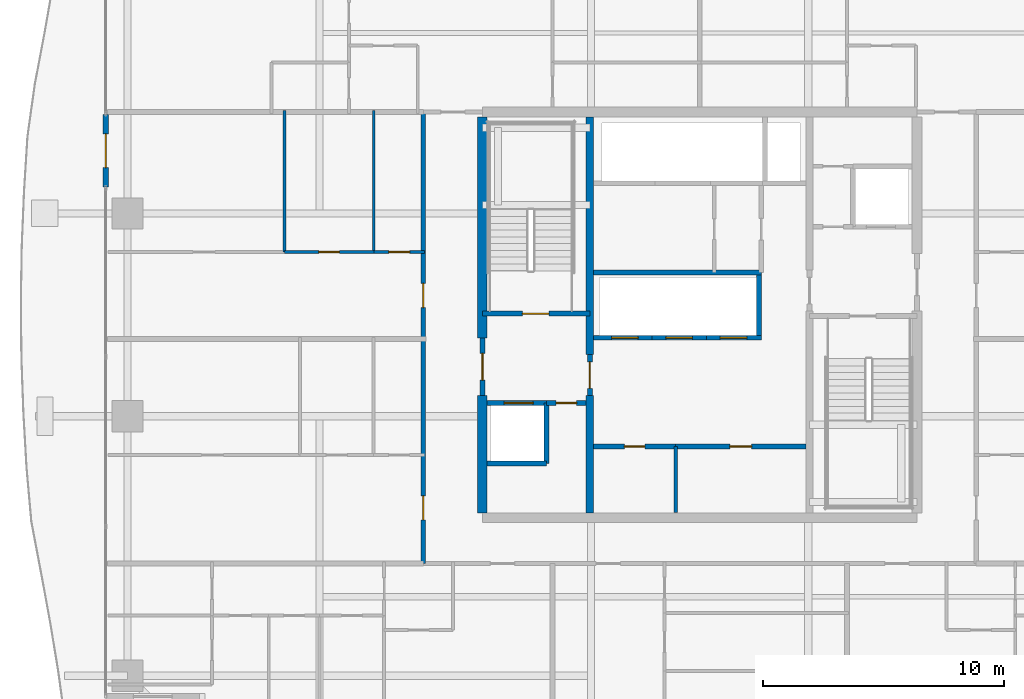
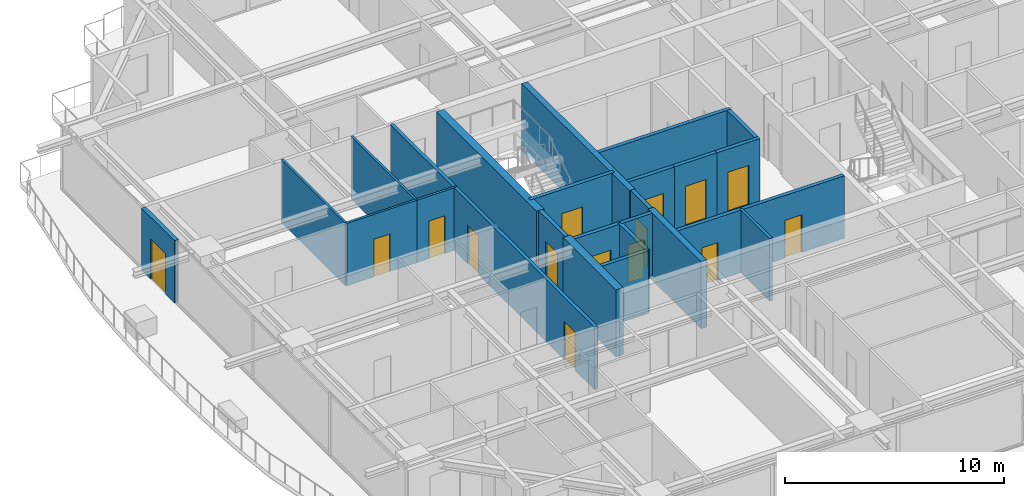
# One storey, part 27 of 39: 25 walls, 15 doors, 15 openings.
"""IFC4 building model written with IfcOpenShell, lengths in metres."""

from ifc_helpers import new_model, si_unit, direction, frame, frame_2d, origin, place, context, subcontext, project, spatial, rectangle, extrude, source, transform, mapped, material, layer, layer_set, type_object, element, fill, save


model = new_model("IFC4")

# Units and contexts
model_context = context("Model", 3, precision=1e-05, world=origin(), true_north=direction((0.0, 1.0)))
body_context = subcontext(model_context, "Body", "Model", "MODEL_VIEW")
ifc_project = project(units=[si_unit("LENGTHUNIT", "METRE"), si_unit("AREAUNIT", "SQUARE_METRE"), si_unit("VOLUMEUNIT", "CUBIC_METRE"), si_unit("PLANEANGLEUNIT", "RADIAN"), si_unit("MASSUNIT", "GRAM", prefix="KILO")], contexts=[model_context])

# Site, building, storey
site_placement = place(None, origin())
site = spatial("IfcSite", under=ifc_project, at=site_placement, CompositionType="ELEMENT")
building_placement = place(site_placement, origin())
building = spatial("IfcBuilding", under=site, at=building_placement, Name="Serunith Strait Residences", CompositionType="ELEMENT")
storey_placement = place(building_placement, frame((0.0, 0.0, 123.89990234375)))
storey = spatial("IfcBuildingStorey", under=building, at=storey_placement, Name="L30", CompositionType="ELEMENT", Elevation=123.89990234375)

# Wall, opening, door
ifc_material_1 = material(Name="Pale-Champagne Aluminium Insulated Panel", Category="aluminium")
ifc_layer_1 = layer(ifc_material_1, 0.219970703125, Name="Pale-Champagne Aluminium Insulated Panel")
ifc_layer_set_1 = layer_set([ifc_layer_1], Name="Pale-Champagne Aluminium Insulated Panel")
wall_type_1 = type_object("IfcWallType", Name="EW-ALUM-220", PredefinedType="ELEMENTEDWALL", material=ifc_layer_set_1)
wall_1_placement = place(storey_placement, frame((7.800048828125, 33.5, 0.0), z_axis=(0.0, 0.0, 1.0), x_axis=(0.0, -1.0, 0.0)))
wall_1 = element("IfcWall", 1, at=wall_1_placement, inside=storey, type_object=wall_type_1, Name="L30 W Facade Pier Wall", PredefinedType="ELEMENTEDWALL", context=body_context, shape_type="SweptSolid", body=[
    extrude(rectangle(XDim=3.0, YDim=0.219970703125, at=frame_2d((1.5, 0.0))), origin(), (0.0, 0.0, 1.0), 3.47509765625),
])
opening_1_placement = place(wall_1_placement, frame((0.800048828125, 0.0, 0.0)))
opening_1 = element("IfcOpeningElement", 2, at=opening_1_placement, cuts=wall_1, Name="Opening ED-04", PredefinedType="OPENING", context=body_context, shape_type="SweptSolid", body=[
    extrude(rectangle(XDim=1.39990234375, YDim=2.25, at=frame_2d((0.699951171875, 1.125))), frame((0.0, 0.1201171875, 0.0), z_axis=(0.0, -1.0, 0.0), x_axis=(1.0, 0.0, 0.0)), (0.0, 0.0, 1.0), 0.239990234375),
])
ifc_material_2 = material(Name="Thermally-Broken Aluminium Sliding Balcony Door", Category="aluminium")
door_type_1 = type_object("IfcDoorType", Name="ED-BALC-1400", OperationType="NOTDEFINED", PredefinedType="DOOR", material=ifc_material_2)
shared_shape_1 = source(origin(), body_context, "Body", "SweptSolid", [
    extrude(rectangle(XDim=1.39990234375, YDim=2.25, at=frame_2d((0.699951171875, 1.125))), frame((0.0, 0.02490234375, 0.0), z_axis=(0.0, -1.0, 0.0), x_axis=(1.0, 0.0, 0.0)), (0.0, 0.0, 1.0), 0.050048828125),
])
door_1_placement = place(opening_1_placement, origin())
door_1 = element("IfcDoor", 3, at=door_1_placement, inside=storey, type_object=door_type_1, Name="L30 W Vertical-Forest Balcony Door", OperationType="SLIDING_TO_LEFT", OverallHeight=2.25, OverallWidth=1.39990234375, PredefinedType="DOOR", context=body_context, shape_type="MappedRepresentation", body=[
    mapped(shared_shape_1, transform((0.0, 0.0, 0.0), scale=1.0)),
])
fill(opening_1, door_1)

# Wall
ifc_material_3 = material(Name="Fire-rated masonry service closet wall", Category="masonry")
ifc_layer_2 = layer(ifc_material_3, 0.14990234375, Name="Fire-rated masonry service closet wall")
ifc_layer_set_2 = layer_set([ifc_layer_2], Name="Fire-rated masonry service closet wall")
wall_type_2 = type_object("IfcWallType", Name="IW-BOH-150", PredefinedType="PARTITIONING", material=ifc_layer_set_2)
wall_2_placement = place(storey_placement, frame((31.39990234375, 17.02001953125, 0.0), z_axis=(0.0, 0.0, 1.0), x_axis=(0.0, 1.0, 0.0)))
element("IfcWall", 4, at=wall_2_placement, inside=storey, type_object=wall_type_2, Name="L30 Partition Wall 017", PredefinedType="PARTITIONING", context=body_context, shape_type="SweptSolid", body=[
    extrude(rectangle(XDim=2.72998046875, YDim=0.14990234375, at=frame_2d((1.364990234375, 0.0))), origin(), (0.0, 0.0, 1.0), 3.489990234375),
])

# Wall, openings, doors
ifc_material_4 = material(Name="Fire-rated acoustic gypsum partition")
ifc_layer_3 = layer(ifc_material_4, 0.179931640625, Name="Fire-rated acoustic gypsum partition")
ifc_layer_set_3 = layer_set([ifc_layer_3], Name="Fire-rated acoustic gypsum partition")
wall_type_3 = type_object("IfcWallType", Name="IW-CORR-180", PredefinedType="PARTITIONING", material=ifc_layer_set_3)
wall_3_placement = place(storey_placement, frame((20.949951171875, 14.89990234375, 0.0), z_axis=(0.0, 0.0, 1.0), x_axis=(0.0, 1.0, 0.0)))
wall_3 = element("IfcWall", 5, at=wall_3_placement, inside=storey, type_object=wall_type_3, Name="L30 Partition Wall 028", PredefinedType="PARTITIONING", context=body_context, shape_type="SweptSolid", body=[
    extrude(rectangle(XDim=18.7001953125, YDim=0.179931640625, at=frame_2d((9.35009765625, 0.0))), origin(), (0.0, 0.0, 1.0), 3.489990234375),
])
opening_2_placement = place(wall_3_placement, frame((1.804931640625, 0.0, 0.0)))
opening_2 = element("IfcOpeningElement", 6, at=opening_2_placement, cuts=wall_3, Name="Opening D-APT1000", PredefinedType="OPENING", context=body_context, shape_type="SweptSolid", body=[
    extrude(rectangle(XDim=1.0, YDim=2.14990234375, at=frame_2d((0.5, 1.074951171875))), frame((0.0, 0.10009765625, 0.0), z_axis=(0.0, -1.0, 0.0), x_axis=(1.0, 0.0, 0.0)), (0.0, 0.0, 1.0), 0.199951171875),
])
opening_3_placement = place(wall_3_placement, frame((10.60205078125, 0.0, 0.0)))
opening_3 = element("IfcOpeningElement", 7, at=opening_3_placement, cuts=wall_3, Name="Opening D-APT1000", PredefinedType="OPENING", context=body_context, shape_type="SweptSolid", body=[
    extrude(rectangle(XDim=1.0, YDim=2.14990234375, at=frame_2d((0.5, 1.074951171875))), frame((0.0, 0.10009765625, 0.0), z_axis=(0.0, -1.0, 0.0), x_axis=(1.0, 0.0, 0.0)), (0.0, 0.0, 1.0), 0.199951171875),
])
ifc_material_5 = material(Name="Solid timber engineered fire door", Category="wood")
door_type_2 = type_object("IfcDoorType", Name="ID-APT-1000", OperationType="NOTDEFINED", PredefinedType="DOOR", material=ifc_material_5)
shared_shape_2 = source(origin(), body_context, "Body", "SweptSolid", [
    extrude(rectangle(XDim=1.0, YDim=2.14990234375, at=frame_2d((0.5, 1.074951171875))), frame((0.0, 0.02490234375, 0.0), z_axis=(0.0, -1.0, 0.0), x_axis=(1.0, 0.0, 0.0)), (0.0, 0.0, 1.0), 0.050048828125),
])
door_2_placement = place(opening_2_placement, origin())
door_2 = element("IfcDoor", 8, at=door_2_placement, inside=storey, type_object=door_type_2, Name="L30 Unit 06 Entrance Door", OperationType="SINGLE_SWING_LEFT", OverallHeight=2.14990234375, OverallWidth=1.0, PredefinedType="DOOR", context=body_context, shape_type="MappedRepresentation", body=[
    mapped(shared_shape_2, transform((0.0, 0.0, 0.0), scale=1.0)),
])
fill(opening_2, door_2)
door_3_placement = place(opening_3_placement, origin())
door_3 = element("IfcDoor", 9, at=door_3_placement, inside=storey, type_object=door_type_2, Name="L30 Unit 07 Entrance Door", OperationType="SINGLE_SWING_RIGHT", OverallHeight=2.14990234375, OverallWidth=1.0, PredefinedType="DOOR", context=body_context, shape_type="MappedRepresentation", body=[
    mapped(shared_shape_2, transform((0.0, 0.0, 0.0), scale=1.0)),
])
fill(opening_3, door_3)

# Walls
ifc_material_6 = material(Name="Lightweight steel-stud gypsum partition", Category="steel")
ifc_layer_4 = layer(ifc_material_6, 0.1201171875, Name="Lightweight steel-stud gypsum partition")
ifc_layer_set_4 = layer_set([ifc_layer_4], Name="Lightweight steel-stud gypsum partition")
wall_type_4 = type_object("IfcWallType", Name="IW-PART-120", PredefinedType="PARTITIONING", material=ifc_layer_set_4)
for number, where, z_axis, x_axis, name in (
    (10, (15.197998046875, 27.800048828125, 0.0), (0.0, 0.0, 1.0), (0.0, 1.0, 0.0), "L30 Partition Wall 101"),
    (11, (18.89990234375, 27.800048828125, 0.0), (0.0, 0.0, 1.0), (0.0, 1.0, 0.0), "L30 Partition Wall 102"),
):
    element("IfcWall", number, at=place(storey_placement, frame(where, z_axis=z_axis, x_axis=x_axis)), inside=storey, type_object=wall_type_4, Name=name, PredefinedType="PARTITIONING", context=body_context, shape_type="SweptSolid", body=[
        extrude(rectangle(XDim=5.85986328125, YDim=0.1201171875, at=frame_2d((2.929931640625, 0.0))), origin(), (0.0, 0.0, 1.0), 3.489990234375),
    ])

# Wall, opening, door
wall_4_placement = place(storey_placement, frame((15.199951171875, 27.800048828125, 0.0), z_axis=(0.0, 0.0, 1.0), x_axis=(1.0, 0.0, 0.0)))
wall_4 = element("IfcWall", 12, at=wall_4_placement, inside=storey, type_object=wall_type_4, Name="L30 Partition Wall 103", PredefinedType="PARTITIONING", context=body_context, shape_type="SweptSolid", body=[
    extrude(rectangle(XDim=3.699951171875, YDim=0.1201171875, at=frame_2d((1.85009765625, 0.0))), origin(), (0.0, 0.0, 1.0), 3.489990234375),
])
opening_4_placement = place(wall_4_placement, frame((1.425048828125, 0.0, 0.0)))
opening_4 = element("IfcOpeningElement", 13, at=opening_4_placement, cuts=wall_4, Name="Opening D-RM850", PredefinedType="OPENING", context=body_context, shape_type="SweptSolid", body=[
    extrude(rectangle(XDim=0.85009765625, YDim=2.10009765625, at=frame_2d((0.425048828125, 1.050048828125))), frame((0.0, 0.070068359375, 0.0), z_axis=(0.0, -1.0, 0.0), x_axis=(1.0, 0.0, 0.0)), (0.0, 0.0, 1.0), 0.14013671875),
])
ifc_material_7 = material(Name="Engineered timber flush study and kitchen door", Category="wood")
door_type_3 = type_object("IfcDoorType", Name="ID-ROOM-850", OperationType="NOTDEFINED", PredefinedType="DOOR", material=ifc_material_7)
shared_shape_3 = source(origin(), body_context, "Body", "SweptSolid", [
    extrude(rectangle(XDim=0.85009765625, YDim=2.10009765625, at=frame_2d((0.425048828125, 1.050048828125))), frame((0.0, 0.02490234375, 0.0), z_axis=(0.0, -1.0, 0.0), x_axis=(1.0, 0.0, 0.0)), (0.0, 0.0, 1.0), 0.050048828125),
])
door_4_placement = place(opening_4_placement, origin())
door_4 = element("IfcDoor", 14, at=door_4_placement, inside=storey, type_object=door_type_3, Name="L30 Kitchen 3007 Door", OperationType="SINGLE_SWING_LEFT", OverallHeight=2.10009765625, OverallWidth=0.85009765625, PredefinedType="DOOR", context=body_context, shape_type="MappedRepresentation", body=[
    mapped(shared_shape_3, transform((0.0, 0.0, 0.0), scale=1.0)),
])
fill(opening_4, door_4)

wall_5_placement = place(storey_placement, frame((18.902099609375, 27.800048828125, 0.0), z_axis=(0.0, 0.0, 1.0), x_axis=(1.0, 0.0, 0.0)))
wall_5 = element("IfcWall", 15, at=wall_5_placement, inside=storey, type_object=wall_type_4, Name="L30 Partition Wall 104", PredefinedType="PARTITIONING", context=body_context, shape_type="SweptSolid", body=[
    extrude(rectangle(XDim=2.10791015625, YDim=0.1201171875, at=frame_2d((1.053955078125, 0.0))), origin(), (0.0, 0.0, 1.0), 3.489990234375),
])
opening_5_placement = place(wall_5_placement, frame((0.62890625, 0.0, 0.0)))
opening_5 = element("IfcOpeningElement", 16, at=opening_5_placement, cuts=wall_5, Name="Opening D-BTH850", PredefinedType="OPENING", context=body_context, shape_type="SweptSolid", body=[
    extrude(rectangle(XDim=0.85009765625, YDim=2.10009765625, at=frame_2d((0.425048828125, 1.050048828125))), frame((0.0, 0.070068359375, 0.0), z_axis=(0.0, -1.0, 0.0), x_axis=(1.0, 0.0, 0.0)), (0.0, 0.0, 1.0), 0.14013671875),
])
ifc_material_8 = material(Name="Moisture-resistant timber bathroom door", Category="wood")
door_type_4 = type_object("IfcDoorType", Name="ID-BATH-850", OperationType="NOTDEFINED", PredefinedType="DOOR", material=ifc_material_8)
door_5_placement = place(opening_5_placement, origin())
door_5 = element("IfcDoor", 17, at=door_5_placement, inside=storey, type_object=door_type_4, Name="L30 Bathroom 3007 Door", OperationType="SINGLE_SWING_RIGHT", OverallHeight=2.10009765625, OverallWidth=0.85009765625, PredefinedType="DOOR", context=body_context, shape_type="MappedRepresentation", body=[
    mapped(shared_shape_3, transform((0.0, 0.0, 0.0), scale=1.0)),
])
fill(opening_5, door_5)

ifc_material_9 = material(Name="Autoclaved aerated concrete blockwork", Category="masonry")
ifc_layer_5 = layer(ifc_material_9, 0.199951171875, Name="Autoclaved aerated concrete blockwork")
ifc_layer_set_5 = layer_set([ifc_layer_5], Name="Autoclaved aerated concrete blockwork")
wall_type_5 = type_object("IfcWallType", Name="IW-SHAFT-200", PredefinedType="STANDARD", material=ifc_layer_set_5)
wall_6_placement = place(storey_placement, frame((23.39990234375, 25.25, 0.0), z_axis=(0.0, 0.0, 1.0), x_axis=(1.0, 0.0, 0.0)))
wall_6 = element("IfcWall", 18, at=wall_6_placement, inside=storey, type_object=wall_type_5, Name="L30 ST-1 South Shaft Wall", PredefinedType="STANDARD", context=body_context, shape_type="SweptSolid", body=[
    extrude(rectangle(XDim=4.4501953125, YDim=0.199951171875, at=frame_2d((2.22509765625, 0.0))), origin(), (0.0, 0.0, 1.0), 3.489990234375),
])
opening_6_placement = place(wall_6_placement, frame((1.64990234375, 0.0, 0.0)))
opening_6 = element("IfcOpeningElement", 19, at=opening_6_placement, cuts=wall_6, Name="Opening FD-1100", PredefinedType="OPENING", context=body_context, shape_type="SweptSolid", body=[
    extrude(rectangle(XDim=1.10009765625, YDim=2.14990234375, at=frame_2d((0.550048828125, 1.074951171875))), frame((0.0, 0.10986328125, 0.0), z_axis=(0.0, -1.0, 0.0), x_axis=(1.0, 0.0, 0.0)), (0.0, 0.0, 1.0), 0.219970703125),
])
ifc_material_10 = material(Name="Galvanised steel fire door leaf", Category="steel")
door_type_5 = type_object("IfcDoorType", Name="FD-STAIR-1100", OperationType="NOTDEFINED", PredefinedType="DOOR", material=ifc_material_10)
shared_shape_4 = source(origin(), body_context, "Body", "SweptSolid", [
    extrude(rectangle(XDim=1.10009765625, YDim=2.14990234375, at=frame_2d((0.550048828125, 1.074951171875))), frame((0.0, 0.02490234375, 0.0), z_axis=(0.0, -1.0, 0.0), x_axis=(1.0, 0.0, 0.0)), (0.0, 0.0, 1.0), 0.050048828125),
])
door_6_placement = place(opening_6_placement, origin())
door_6 = element("IfcDoor", 20, at=door_6_placement, inside=storey, type_object=door_type_5, Name="L30 ST-1 Escape Stair Door", OperationType="SINGLE_SWING_RIGHT", OverallHeight=2.14990234375, OverallWidth=1.10009765625, PredefinedType="DOOR", context=body_context, shape_type="MappedRepresentation", body=[
    mapped(shared_shape_4, transform((0.0, 0.0, 0.0), scale=1.0)),
])
fill(opening_6, door_6)

wall_7_placement = place(storey_placement, frame((23.60009765625, 21.550048828125, 0.0), z_axis=(0.0, 0.0, 1.0), x_axis=(1.0, 0.0, 0.0)))
wall_7 = element("IfcWall", 21, at=wall_7_placement, inside=storey, type_object=wall_type_5, Name="L30 FL-1 North Shaft Wall", PredefinedType="STANDARD", context=body_context, shape_type="SweptSolid", body=[
    extrude(rectangle(XDim=2.449951171875, YDim=0.199951171875, at=frame_2d((1.22509765625, 0.0))), origin(), (0.0, 0.0, 1.0), 3.489990234375),
])
opening_7_placement = place(wall_7_placement, frame((0.699951171875, 0.0, 0.0)))
opening_7 = element("IfcOpeningElement", 22, at=opening_7_placement, cuts=wall_7, Name="Opening LD-FF1200", PredefinedType="OPENING", context=body_context, shape_type="SweptSolid", body=[
    extrude(rectangle(XDim=1.199951171875, YDim=2.199951171875, at=frame_2d((0.60009765625, 1.10009765625))), frame((0.0, 0.10986328125, 0.0), z_axis=(0.0, -1.0, 0.0), x_axis=(1.0, 0.0, 0.0)), (0.0, 0.0, 1.0), 0.219970703125),
])
ifc_material_11 = material(Name="Brushed stainless steel landing door", Category="steel")
door_type_6 = type_object("IfcDoorType", Name="LD-FF-1200", OperationType="DOUBLE_DOOR_SLIDING", PredefinedType="DOOR", material=ifc_material_11)
shared_shape_5 = source(origin(), body_context, "Body", "SweptSolid", [
    extrude(rectangle(XDim=1.199951171875, YDim=2.199951171875, at=frame_2d((0.60009765625, 1.10009765625))), frame((0.0, 0.02490234375, 0.0), z_axis=(0.0, -1.0, 0.0), x_axis=(1.0, 0.0, 0.0)), (0.0, 0.0, 1.0), 0.050048828125),
])
door_7_placement = place(opening_7_placement, origin())
door_7 = element("IfcDoor", 23, at=door_7_placement, inside=storey, type_object=door_type_6, Name="L30 FL-1 Landing Door", OperationType="DOUBLE_DOOR_SLIDING", OverallHeight=2.199951171875, OverallWidth=1.199951171875, PredefinedType="DOOR", context=body_context, shape_type="MappedRepresentation", body=[
    mapped(shared_shape_5, transform((0.0, 0.0, 0.0), scale=1.0)),
])
fill(opening_7, door_7)

wall_8_placement = place(storey_placement, frame((28.0, 24.25, 0.0), z_axis=(0.0, 0.0, 1.0), x_axis=(1.0, 0.0, 0.0)))
wall_8 = element("IfcWall", 24, at=wall_8_placement, inside=storey, type_object=wall_type_5, Name="L30 PL-4 South Shaft Wall", PredefinedType="STANDARD", context=body_context, shape_type="SweptSolid", body=[
    extrude(rectangle(XDim=2.425048828125, YDim=0.199951171875, at=frame_2d((1.21240234375, 0.0))), origin(), (0.0, 0.0, 1.0), 3.489990234375),
])
opening_8_placement = place(wall_8_placement, frame((0.75, 0.0, 0.0)))
opening_8 = element("IfcOpeningElement", 25, at=opening_8_placement, cuts=wall_8, Name="Opening LD-1100", PredefinedType="OPENING", context=body_context, shape_type="SweptSolid", body=[
    extrude(rectangle(XDim=1.10009765625, YDim=2.199951171875, at=frame_2d((0.550048828125, 1.10009765625))), frame((0.0, 0.10986328125, 0.0), z_axis=(0.0, -1.0, 0.0), x_axis=(1.0, 0.0, 0.0)), (0.0, 0.0, 1.0), 0.219970703125),
])
ifc_material_12 = material(Name="Pale-champagne stainless landing door")
door_type_7 = type_object("IfcDoorType", Name="LD-LIFT-1100", OperationType="DOUBLE_DOOR_SLIDING", PredefinedType="DOOR", material=ifc_material_12)
shared_shape_6 = source(origin(), body_context, "Body", "SweptSolid", [
    extrude(rectangle(XDim=1.10009765625, YDim=2.199951171875, at=frame_2d((0.550048828125, 1.10009765625))), frame((0.0, 0.02490234375, 0.0), z_axis=(0.0, -1.0, 0.0), x_axis=(1.0, 0.0, 0.0)), (0.0, 0.0, 1.0), 0.050048828125),
])
door_8_placement = place(opening_8_placement, origin())
door_8 = element("IfcDoor", 26, at=door_8_placement, inside=storey, type_object=door_type_7, Name="L30 PL-4 Landing Door", OperationType="DOUBLE_DOOR_SLIDING", OverallHeight=2.199951171875, OverallWidth=1.10009765625, PredefinedType="DOOR", context=body_context, shape_type="MappedRepresentation", body=[
    mapped(shared_shape_6, transform((0.0, 0.0, 0.0), scale=1.0)),
])
fill(opening_8, door_8)

wall_9_placement = place(storey_placement, frame((30.425048828125, 24.25, 0.0), z_axis=(0.0, 0.0, 1.0), x_axis=(1.0, 0.0, 0.0)))
wall_9 = element("IfcWall", 27, at=wall_9_placement, inside=storey, type_object=wall_type_5, Name="L30 PL-5 South Shaft Wall", PredefinedType="STANDARD", context=body_context, shape_type="SweptSolid", body=[
    extrude(rectangle(XDim=2.25, YDim=0.199951171875, at=frame_2d((1.125, 0.0))), origin(), (0.0, 0.0, 1.0), 3.489990234375),
])
opening_9_placement = place(wall_9_placement, frame((0.574951171875, 0.0, 0.0)))
opening_9 = element("IfcOpeningElement", 28, at=opening_9_placement, cuts=wall_9, Name="Opening LD-1100", PredefinedType="OPENING", context=body_context, shape_type="SweptSolid", body=[
    extrude(rectangle(XDim=1.10009765625, YDim=2.199951171875, at=frame_2d((0.550048828125, 1.10009765625))), frame((0.0, 0.10986328125, 0.0), z_axis=(0.0, -1.0, 0.0), x_axis=(1.0, 0.0, 0.0)), (0.0, 0.0, 1.0), 0.219970703125),
])
door_9_placement = place(opening_9_placement, origin())
door_9 = element("IfcDoor", 29, at=door_9_placement, inside=storey, type_object=door_type_7, Name="L30 PL-5 Landing Door", OperationType="DOUBLE_DOOR_SLIDING", OverallHeight=2.199951171875, OverallWidth=1.10009765625, PredefinedType="DOOR", context=body_context, shape_type="MappedRepresentation", body=[
    mapped(shared_shape_6, transform((0.0, 0.0, 0.0), scale=1.0)),
])
fill(opening_9, door_9)

wall_10_placement = place(storey_placement, frame((32.675048828125, 24.25, 0.0), z_axis=(0.0, 0.0, 1.0), x_axis=(1.0, 0.0, 0.0)))
wall_10 = element("IfcWall", 30, at=wall_10_placement, inside=storey, type_object=wall_type_5, Name="L30 PL-6 South Shaft Wall", PredefinedType="STANDARD", context=body_context, shape_type="SweptSolid", body=[
    extrude(rectangle(XDim=2.27490234375, YDim=0.199951171875, at=frame_2d((1.137451171875, 0.0))), origin(), (0.0, 0.0, 1.0), 3.489990234375),
])
opening_10_placement = place(wall_10_placement, frame((0.574951171875, 0.0, 0.0)))
opening_10 = element("IfcOpeningElement", 31, at=opening_10_placement, cuts=wall_10, Name="Opening LD-1100", PredefinedType="OPENING", context=body_context, shape_type="SweptSolid", body=[
    extrude(rectangle(XDim=1.10009765625, YDim=2.199951171875, at=frame_2d((0.550048828125, 1.10009765625))), frame((0.0, 0.10986328125, 0.0), z_axis=(0.0, -1.0, 0.0), x_axis=(1.0, 0.0, 0.0)), (0.0, 0.0, 1.0), 0.219970703125),
])
door_10_placement = place(opening_10_placement, origin())
door_10 = element("IfcDoor", 32, at=door_10_placement, inside=storey, type_object=door_type_7, Name="L30 PL-6 Landing Door", OperationType="DOUBLE_DOOR_SLIDING", OverallHeight=2.199951171875, OverallWidth=1.10009765625, PredefinedType="DOOR", context=body_context, shape_type="MappedRepresentation", body=[
    mapped(shared_shape_6, transform((0.0, 0.0, 0.0), scale=1.0)),
])
fill(opening_10, door_10)

# Walls
for number, where, z_axis, x_axis, name in (
    (33, (34.85009765625, 24.35009765625, 0.0), (0.0, 0.0, 1.0), (0.0, 1.0, 0.0), "L30 PL-6 East Shaft Wall"),
    (34, (26.050048828125, 19.050048828125, 0.0), (0.0, 0.0, 1.0), (0.0, 1.0, 0.0), "L30 Partition Wall 001"),
):
    element("IfcWall", number, at=place(storey_placement, frame(where, z_axis=z_axis, x_axis=x_axis)), inside=storey, type_object=wall_type_5, Name=name, PredefinedType="STANDARD", context=body_context, shape_type="SweptSolid", body=[
        extrude(rectangle(XDim=2.5, YDim=0.199951171875, at=frame_2d((1.25, 0.0))), origin(), (0.0, 0.0, 1.0), 3.489990234375),
    ])
wall_11_placement = place(storey_placement, frame((23.60009765625, 19.050048828125, 0.0), z_axis=(0.0, 0.0, 1.0), x_axis=(1.0, 0.0, 0.0)))
element("IfcWall", 35, at=wall_11_placement, inside=storey, type_object=wall_type_5, Name="L30 Partition Wall 002", PredefinedType="STANDARD", context=body_context, shape_type="SweptSolid", body=[
    extrude(rectangle(XDim=2.449951171875, YDim=0.199951171875, at=frame_2d((1.22509765625, 0.0))), origin(), (0.0, 0.0, 1.0), 3.489990234375),
])

# Wall, opening, door
wall_12_placement = place(storey_placement, frame((26.052001953125, 21.550048828125, 0.0), z_axis=(0.0, 0.0, 1.0), x_axis=(1.0, 0.0, 0.0)))
wall_12 = element("IfcWall", 36, at=wall_12_placement, inside=storey, type_object=wall_type_5, Name="L30 Partition Wall 003", PredefinedType="STANDARD", context=body_context, shape_type="SweptSolid", body=[
    extrude(rectangle(XDim=1.64794921875, YDim=0.199951171875, at=frame_2d((0.823974609375, 0.0))), origin(), (0.0, 0.0, 1.0), 3.489990234375),
])
opening_11_placement = place(wall_12_placement, frame((0.39892578125, 0.0, 0.0)))
opening_11 = element("IfcOpeningElement", 37, at=opening_11_placement, cuts=wall_12, Name="Opening FD-850", PredefinedType="OPENING", context=body_context, shape_type="SweptSolid", body=[
    extrude(rectangle(XDim=0.85009765625, YDim=2.10009765625, at=frame_2d((0.425048828125, 1.050048828125))), frame((0.0, 0.10986328125, 0.0), z_axis=(0.0, -1.0, 0.0), x_axis=(1.0, 0.0, 0.0)), (0.0, 0.0, 1.0), 0.219970703125),
])
ifc_material_13 = material(Name="Powder-coated steel service closet door", Category="steel")
door_type_8 = type_object("IfcDoorType", Name="FD-BOH-850", OperationType="NOTDEFINED", PredefinedType="DOOR", material=ifc_material_13)
door_11_placement = place(opening_11_placement, origin())
door_11 = element("IfcDoor", 38, at=door_11_placement, inside=storey, type_object=door_type_8, Name="L30 South-West Core Service Door", OperationType="SINGLE_SWING_LEFT", OverallHeight=2.10009765625, OverallWidth=0.85009765625, PredefinedType="DOOR", context=body_context, shape_type="MappedRepresentation", body=[
    mapped(shared_shape_3, transform((0.0, 0.0, 0.0), scale=1.0)),
])
fill(opening_11, door_11)

wall_13_placement = place(storey_placement, frame((23.39990234375, 21.85205078125, 0.0), z_axis=(0.0, 0.0, 1.0), x_axis=(0.0, 1.0, 0.0)))
wall_13 = element("IfcWall", 39, at=wall_13_placement, inside=storey, type_object=wall_type_5, Name="L30 Partition Wall 007", PredefinedType="STANDARD", context=body_context, shape_type="SweptSolid", body=[
    extrude(rectangle(XDim=2.39599609375, YDim=0.199951171875, at=frame_2d((1.197998046875, 0.0))), origin(), (0.0, 0.0, 1.0), 3.489990234375),
])
opening_12_placement = place(wall_13_placement, frame((0.64794921875, 0.0, 0.0)))
opening_12 = element("IfcOpeningElement", 40, at=opening_12_placement, cuts=wall_13, Name="Opening FD-FFL", PredefinedType="OPENING", context=body_context, shape_type="SweptSolid", body=[
    extrude(rectangle(XDim=1.10009765625, YDim=2.14990234375, at=frame_2d((0.550048828125, 1.074951171875))), frame((0.0, 0.10986328125, 0.0), z_axis=(0.0, -1.0, 0.0), x_axis=(1.0, 0.0, 0.0)), (0.0, 0.0, 1.0), 0.219970703125),
])
ifc_material_14 = material(Name="Glazed steel smoke-lobby fire door", Category="steel")
door_type_9 = type_object("IfcDoorType", Name="FD-FFL-1100", OperationType="NOTDEFINED", PredefinedType="DOOR", material=ifc_material_14)
door_12_placement = place(opening_12_placement, origin())
door_12 = element("IfcDoor", 41, at=door_12_placement, inside=storey, type_object=door_type_9, Name="L30 FFL-1 Corridor Fire Door", OperationType="SINGLE_SWING_LEFT", OverallHeight=2.14990234375, OverallWidth=1.10009765625, PredefinedType="DOOR", context=body_context, shape_type="MappedRepresentation", body=[
    mapped(shared_shape_4, transform((0.0, 0.0, 0.0), scale=1.0)),
])
fill(opening_12, door_12)

wall_14_placement = place(storey_placement, frame((27.85009765625, 21.85205078125, 0.0), z_axis=(0.0, 0.0, 1.0), x_axis=(0.0, 1.0, 0.0)))
wall_14 = element("IfcWall", 42, at=wall_14_placement, inside=storey, type_object=wall_type_5, Name="L30 Partition Wall 009", PredefinedType="STANDARD", context=body_context, shape_type="SweptSolid", body=[
    extrude(rectangle(XDim=1.696044921875, YDim=0.199951171875, at=frame_2d((0.84814453125, 0.0))), origin(), (0.0, 0.0, 1.0), 3.489990234375),
])
opening_13_placement = place(wall_14_placement, frame((0.298095703125, 0.0, 0.0)))
opening_13 = element("IfcOpeningElement", 43, at=opening_13_placement, cuts=wall_14, Name="Opening FD-FFL", PredefinedType="OPENING", context=body_context, shape_type="SweptSolid", body=[
    extrude(rectangle(XDim=1.10009765625, YDim=2.14990234375, at=frame_2d((0.550048828125, 1.074951171875))), frame((0.0, 0.10986328125, 0.0), z_axis=(0.0, -1.0, 0.0), x_axis=(1.0, 0.0, 0.0)), (0.0, 0.0, 1.0), 0.219970703125),
])
door_13_placement = place(opening_13_placement, origin())
door_13 = element("IfcDoor", 44, at=door_13_placement, inside=storey, type_object=door_type_9, Name="L30 FFL-1 Lift Lobby Door", OperationType="SINGLE_SWING_LEFT", OverallHeight=2.14990234375, OverallWidth=1.10009765625, PredefinedType="DOOR", context=body_context, shape_type="MappedRepresentation", body=[
    mapped(shared_shape_4, transform((0.0, 0.0, 0.0), scale=1.0)),
])
fill(opening_13, door_13)

# Wall
wall_15_placement = place(storey_placement, frame((28.0, 26.949951171875, 0.0), z_axis=(0.0, 0.0, 1.0), x_axis=(1.0, 0.0, 0.0)))
element("IfcWall", 45, at=wall_15_placement, inside=storey, type_object=wall_type_5, Name="L30 Partition Wall 011", PredefinedType="STANDARD", context=body_context, shape_type="SweptSolid", body=[
    extrude(rectangle(XDim=6.949951171875, YDim=0.199951171875, at=frame_2d((3.47509765625, 0.0))), origin(), (0.0, 0.0, 1.0), 3.489990234375),
])

# Wall, opening, door
wall_16_placement = place(storey_placement, frame((28.0, 19.75, 0.0), z_axis=(0.0, 0.0, 1.0), x_axis=(1.0, 0.0, 0.0)))
wall_16 = element("IfcWall", 46, at=wall_16_placement, inside=storey, type_object=wall_type_5, Name="L30 Partition Wall 015", PredefinedType="STANDARD", context=body_context, shape_type="SweptSolid", body=[
    extrude(rectangle(XDim=3.39990234375, YDim=0.199951171875, at=frame_2d((1.699951171875, 0.0))), origin(), (0.0, 0.0, 1.0), 3.489990234375),
])
opening_14_placement = place(wall_16_placement, frame((1.27490234375, 0.0, 0.0)))
opening_14 = element("IfcOpeningElement", 47, at=opening_14_placement, cuts=wall_16, Name="Opening FD-850", PredefinedType="OPENING", context=body_context, shape_type="SweptSolid", body=[
    extrude(rectangle(XDim=0.85009765625, YDim=2.10009765625, at=frame_2d((0.425048828125, 1.050048828125))), frame((0.0, 0.10986328125, 0.0), z_axis=(0.0, -1.0, 0.0), x_axis=(1.0, 0.0, 0.0)), (0.0, 0.0, 1.0), 0.219970703125),
])
door_14_placement = place(opening_14_placement, origin())
door_14 = element("IfcDoor", 48, at=door_14_placement, inside=storey, type_object=door_type_8, Name="L30 Booster Pump Door", OperationType="SINGLE_SWING_RIGHT", OverallHeight=2.10009765625, OverallWidth=0.85009765625, PredefinedType="DOOR", context=body_context, shape_type="MappedRepresentation", body=[
    mapped(shared_shape_3, transform((0.0, 0.0, 0.0), scale=1.0)),
])
fill(opening_14, door_14)

wall_17_placement = place(storey_placement, frame((31.402099609375, 19.75, 0.0), z_axis=(0.0, 0.0, 1.0), x_axis=(1.0, 0.0, 0.0)))
wall_17 = element("IfcWall", 49, at=wall_17_placement, inside=storey, type_object=wall_type_5, Name="L30 Partition Wall 016", PredefinedType="STANDARD", context=body_context, shape_type="SweptSolid", body=[
    extrude(rectangle(XDim=5.39794921875, YDim=0.199951171875, at=frame_2d((2.698974609375, 0.0))), origin(), (0.0, 0.0, 1.0), 3.489990234375),
])
opening_15_placement = place(wall_17_placement, frame((2.2490234375, 0.0, 0.0)))
opening_15 = element("IfcOpeningElement", 50, at=opening_15_placement, cuts=wall_17, Name="Opening FD-900", PredefinedType="OPENING", context=body_context, shape_type="SweptSolid", body=[
    extrude(rectangle(XDim=0.89990234375, YDim=2.10009765625, at=frame_2d((0.449951171875, 1.050048828125))), frame((0.0, 0.10986328125, 0.0), z_axis=(0.0, -1.0, 0.0), x_axis=(1.0, 0.0, 0.0)), (0.0, 0.0, 1.0), 0.219970703125),
])
ifc_material_15 = material(Name="Powder-coated steel riser door", Category="steel")
door_type_10 = type_object("IfcDoorType", Name="FD-BOH-900", OperationType="NOTDEFINED", PredefinedType="DOOR", material=ifc_material_15)
shared_shape_7 = source(origin(), body_context, "Body", "SweptSolid", [
    extrude(rectangle(XDim=0.89990234375, YDim=2.10009765625, at=frame_2d((0.449951171875, 1.050048828125))), frame((0.0, 0.02490234375, 0.0), z_axis=(0.0, -1.0, 0.0), x_axis=(1.0, 0.0, 0.0)), (0.0, 0.0, 1.0), 0.050048828125),
])
door_15_placement = place(opening_15_placement, origin())
door_15 = element("IfcDoor", 51, at=door_15_placement, inside=storey, type_object=door_type_10, Name="L30 Zone Switchroom Door", OperationType="SINGLE_SWING_LEFT", OverallHeight=2.10009765625, OverallWidth=0.89990234375, PredefinedType="DOOR", context=body_context, shape_type="MappedRepresentation", body=[
    mapped(shared_shape_7, transform((0.0, 0.0, 0.0), scale=1.0)),
])
fill(opening_15, door_15)

# Walls
ifc_material_16 = material(Name="Concrete C70/85", Category="concrete")
ifc_layer_6 = layer(ifc_material_16, 0.300048828125, Name="Concrete C70/85")
ifc_layer_set_6 = layer_set([ifc_layer_6], Name="Concrete C70/85")
wall_type_6 = type_object("IfcWallType", Name="SW-300-C70", PredefinedType="SHEAR", material=ifc_layer_set_6)
wall_18_placement = place(storey_placement, frame((27.85009765625, 17.0, -0.260009765625), z_axis=(0.0, 0.0, 1.0), x_axis=(0.0, 1.0, 0.0)))
element("IfcWall", 52, at=wall_18_placement, inside=storey, type_object=wall_type_6, Name="L30 Core Internal West Web South Pier", PredefinedType="SHEAR", context=body_context, shape_type="SweptSolid", body=[
    extrude(rectangle(XDim=4.85009765625, YDim=0.300048828125, at=frame_2d((2.425048828125, 0.0))), origin(), (0.0, 0.0, 1.0), 3.748046875),
])
wall_19_placement = place(storey_placement, frame((27.85009765625, 23.550048828125, -0.260009765625), z_axis=(0.0, 0.0, 1.0), x_axis=(0.0, 1.0, 0.0)))
element("IfcWall", 53, at=wall_19_placement, inside=storey, type_object=wall_type_6, Name="L30 Core Internal West Web North Pier", PredefinedType="SHEAR", context=body_context, shape_type="SweptSolid", body=[
    extrude(rectangle(XDim=9.849853515625, YDim=0.300048828125, at=frame_2d((4.9248046875, 0.0))), origin(), (0.0, 0.0, 1.0), 3.748046875),
])
ifc_layer_7 = layer(ifc_material_16, 0.39990234375, Name="Concrete C70/85")
ifc_layer_set_7 = layer_set([ifc_layer_7], Name="Concrete C70/85")
wall_type_7 = type_object("IfcWallType", Name="SW-400-C70", PredefinedType="SHEAR", material=ifc_layer_set_7)
wall_20_placement = place(storey_placement, frame((23.39990234375, 17.0, -0.260009765625), z_axis=(0.0, 0.0, 1.0), x_axis=(0.0, 1.0, 0.0)))
element("IfcWall", 54, at=wall_20_placement, inside=storey, type_object=wall_type_7, Name="L30 Core West Shear Wall South Pier", PredefinedType="SHEAR", context=body_context, shape_type="SweptSolid", body=[
    extrude(rectangle(XDim=4.85009765625, YDim=0.39990234375, at=frame_2d((2.425048828125, 0.0))), origin(), (0.0, 0.0, 1.0), 3.748046875),
])
wall_21_placement = place(storey_placement, frame((23.39990234375, 24.25, -0.260009765625), z_axis=(0.0, 0.0, 1.0), x_axis=(0.0, 1.0, 0.0)))
element("IfcWall", 55, at=wall_21_placement, inside=storey, type_object=wall_type_7, Name="L30 Core West Shear Wall North Pier", PredefinedType="SHEAR", context=body_context, shape_type="SweptSolid", body=[
    extrude(rectangle(XDim=9.14990234375, YDim=0.39990234375, at=frame_2d((4.574951171875, 0.0))), origin(), (0.0, 0.0, 1.0), 3.748046875),
])

save(model, "model.ifc")
